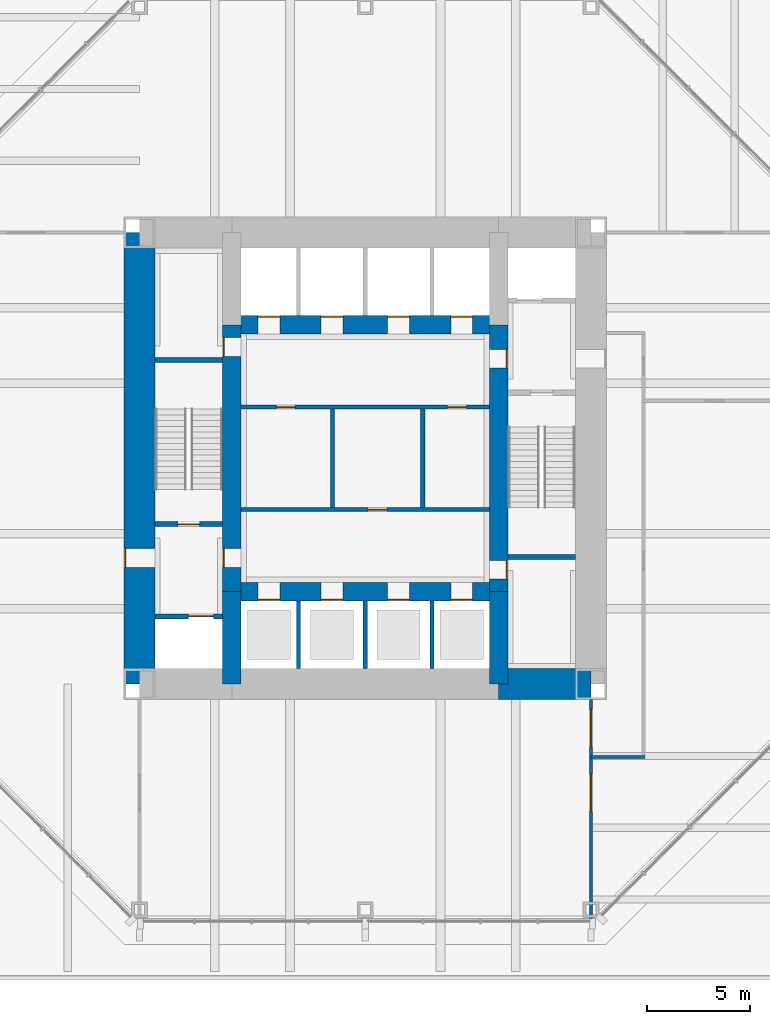
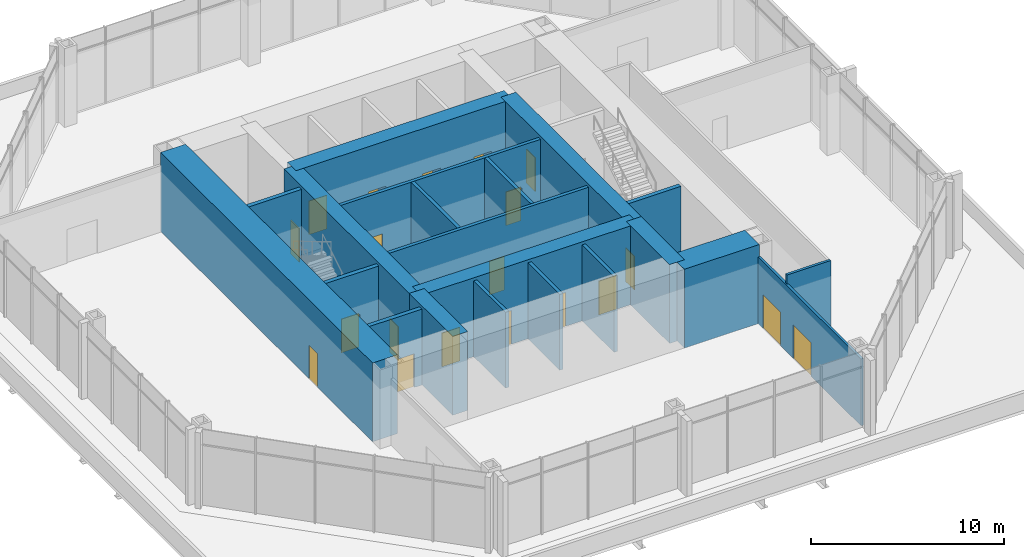
# One storey, part 8 of 11: 21 walls, 20 doors, 20 openings.
"""IFC4 building model written with IfcOpenShell, lengths in metres."""

from ifc_helpers import new_model, si_unit, direction, frame, frame_2d, origin, place, context, subcontext, project, spatial, rectangle, extrude, material, layer, layer_set, type_object, element, fill, save


model = new_model("IFC4")

# Units and contexts
model_context = context("Model", 3, precision=1e-05, world=origin(), true_north=direction((0.0, 1.0)))
body_context = subcontext(model_context, "Body", "Model", "MODEL_VIEW")
ifc_project = project(units=[si_unit("LENGTHUNIT", "METRE"), si_unit("AREAUNIT", "SQUARE_METRE"), si_unit("VOLUMEUNIT", "CUBIC_METRE"), si_unit("PLANEANGLEUNIT", "RADIAN"), si_unit("MASSUNIT", "GRAM", prefix="KILO")], contexts=[model_context])

# Site, building, storey
site_placement = place(None, origin())
site = spatial("IfcSite", under=ifc_project, at=site_placement, CompositionType="ELEMENT")
building_placement = place(site_placement, origin())
building = spatial("IfcBuilding", under=site, at=building_placement, Name="Trevanion Tower", CompositionType="ELEMENT")
storey_placement = place(building_placement, frame((0.0, 0.0, 95.800048828125)))
storey = spatial("IfcBuildingStorey", under=building, at=storey_placement, Name="L22", CompositionType="ELEMENT", Elevation=95.800048828125)

# Wall, opening, door
ifc_material_1 = material(Name="Concrete 10,000 psi", Category="concrete")
ifc_layer_1 = layer(ifc_material_1, 1.5)
ifc_layer_set_1 = layer_set([ifc_layer_1], Name="CW1 core wall 1500")
wall_type_1 = type_object("IfcWallType", Name="CW1 core wall 1500", PredefinedType="SHEAR", material=ifc_layer_set_1)
wall_1_placement = place(storey_placement, frame((-11.0, 11.0, 0.0), z_axis=(0.0, 0.0, 1.0), x_axis=(0.0, -1.0, 0.0)))
wall_1 = element("IfcWall", 1, at=wall_1_placement, inside=storey, type_object=wall_type_1, Name="CW1 CW L22", PredefinedType="SHEAR", context=body_context, shape_type="SweptSolid", body=[
    extrude(rectangle(XDim=22.0, YDim=1.5, at=frame_2d((11.0, 0.0))), origin(), (0.0, 0.0, 1.0), 5.0),
])
opening_1_placement = place(wall_1_placement, frame((15.392578125, 0.0, 0.0)))
opening_1 = element("IfcOpeningElement", 2, at=opening_1_placement, cuts=wall_1, Name="Opening 22-002", PredefinedType="OPENING", context=body_context, shape_type="SweptSolid", body=[
    extrude(rectangle(XDim=0.9150390625, YDim=2.134033203125, at=frame_2d((0.45751953125, 1.06689453125))), frame((0.0, 0.760009765625, 0.0), z_axis=(0.0, -1.0, 0.0), x_axis=(1.0, 0.0, 0.0)), (0.0, 0.0, 1.0), 1.52001953125),
])
ifc_material_2 = material(Name="Hollow metal, fire rated", Category="steel")
door_type_1 = type_object("IfcDoorType", Name="D3 fire lift lobby door", OperationType="SINGLE_SWING_RIGHT", PredefinedType="DOOR", material=ifc_material_2)
door_1_placement = place(opening_1_placement, origin())
door_1 = element("IfcDoor", 3, at=door_1_placement, inside=storey, type_object=door_type_1, Name="Door 22-002", OperationType="SINGLE_SWING_RIGHT", OverallHeight=2.134033203125, OverallWidth=0.9150390625, PredefinedType="DOOR", context=body_context, shape_type="SweptSolid", body=[
    extrude(rectangle(XDim=0.9150390625, YDim=2.134033203125, at=frame_2d((0.45751953125, 1.06689453125))), frame((0.0, -0.6748046875, 0.0), z_axis=(0.0, -1.0, 0.0), x_axis=(1.0, 0.0, 0.0)), (0.0, 0.0, 1.0), 0.050048828125),
])
fill(opening_1, door_1)

# Walls
wall_2_placement = place(storey_placement, frame((6.5, -11.0, 0.0), z_axis=(0.0, 0.0, 1.0), x_axis=(1.0, 0.0, 0.0)))
element("IfcWall", 4, at=wall_2_placement, inside=storey, type_object=wall_type_1, Name="CW1 CS3 L22", PredefinedType="SHEAR", context=body_context, shape_type="SweptSolid", body=[
    extrude(rectangle(XDim=4.5, YDim=1.5, at=frame_2d((2.25, 0.0))), origin(), (0.0, 0.0, 1.0), 5.0),
])
ifc_material_3 = material(Name="Concrete 10,000 psi", Category="concrete")
ifc_layer_2 = layer(ifc_material_3, 0.89990234375)
ifc_layer_set_2 = layer_set([ifc_layer_2], Name="CW2 core wall 900")
wall_type_2 = type_object("IfcWallType", Name="CW2 core wall 900", PredefinedType="SHEAR", material=ifc_layer_set_2)
wall_3_placement = place(storey_placement, frame((6.5, -11.0, 0.0), z_axis=(0.0, 0.0, 1.0), x_axis=(0.0, 1.0, 0.0)))
element("IfcWall", 5, at=wall_3_placement, inside=storey, type_object=wall_type_2, Name="CW2 RE1 L22", PredefinedType="SHEAR", context=body_context, shape_type="SweptSolid", body=[
    extrude(rectangle(XDim=4.5, YDim=0.89990234375, at=frame_2d((2.25, 0.0))), origin(), (0.0, 0.0, 1.0), 5.0),
])

# Wall, openings, doors
wall_4_placement = place(storey_placement, frame((6.5, -6.5, 0.0), z_axis=(0.0, 0.0, 1.0), x_axis=(0.0, 1.0, 0.0)))
wall_4 = element("IfcWall", 6, at=wall_4_placement, inside=storey, type_object=wall_type_2, Name="CW2 RE2 L22", PredefinedType="SHEAR", context=body_context, shape_type="SweptSolid", body=[
    extrude(rectangle(XDim=13.0, YDim=0.89990234375, at=frame_2d((6.5, 0.0))), origin(), (0.0, 0.0, 1.0), 5.0),
])
opening_2_placement = place(wall_4_placement, frame((10.892578125, 0.0, 0.0)))
opening_2 = element("IfcOpeningElement", 7, at=opening_2_placement, cuts=wall_4, Name="Opening 22-003", PredefinedType="OPENING", context=body_context, shape_type="SweptSolid", body=[
    extrude(rectangle(XDim=0.9150390625, YDim=2.134033203125, at=frame_2d((0.45751953125, 1.06689453125))), frame((0.0, 0.4599609375, 0.0), z_axis=(0.0, -1.0, 0.0), x_axis=(1.0, 0.0, 0.0)), (0.0, 0.0, 1.0), 0.919921875),
])
opening_3_placement = place(wall_4_placement, frame((0.610107421875, 0.0, 0.0)))
opening_3 = element("IfcOpeningElement", 8, at=opening_3_placement, cuts=wall_4, Name="Opening 22-009", PredefinedType="OPENING", context=body_context, shape_type="SweptSolid", body=[
    extrude(rectangle(XDim=0.9150390625, YDim=2.134033203125, at=frame_2d((0.45751953125, 1.06689453125))), frame((0.0, 0.4599609375, 0.0), z_axis=(0.0, -1.0, 0.0), x_axis=(1.0, 0.0, 0.0)), (0.0, 0.0, 1.0), 0.919921875),
])
door_2_placement = place(opening_2_placement, origin())
door_2 = element("IfcDoor", 9, at=door_2_placement, inside=storey, type_object=door_type_1, Name="Door 22-003", OperationType="SINGLE_SWING_RIGHT", OverallHeight=2.134033203125, OverallWidth=0.9150390625, PredefinedType="DOOR", context=body_context, shape_type="SweptSolid", body=[
    extrude(rectangle(XDim=0.9150390625, YDim=2.134033203125, at=frame_2d((0.45751953125, 1.06689453125))), frame((0.0, -0.375, 0.0), z_axis=(0.0, -1.0, 0.0), x_axis=(1.0, 0.0, 0.0)), (0.0, 0.0, 1.0), 0.050048828125),
])
fill(opening_2, door_2)
ifc_material_4 = material(Name="Hollow metal, fire rated", Category="steel")
door_type_2 = type_object("IfcDoorType", Name="D5 service room door", OperationType="SINGLE_SWING_RIGHT", PredefinedType="DOOR", material=ifc_material_4)
door_3_placement = place(opening_3_placement, origin())
door_3 = element("IfcDoor", 10, at=door_3_placement, inside=storey, type_object=door_type_2, Name="Door 22-009", OperationType="SINGLE_SWING_RIGHT", OverallHeight=2.134033203125, OverallWidth=0.9150390625, PredefinedType="DOOR", context=body_context, shape_type="SweptSolid", body=[
    extrude(rectangle(XDim=0.9150390625, YDim=2.134033203125, at=frame_2d((0.45751953125, 1.06689453125))), frame((0.0, -0.375, 0.0), z_axis=(0.0, -1.0, 0.0), x_axis=(1.0, 0.0, 0.0)), (0.0, 0.0, 1.0), 0.050048828125),
])
fill(opening_3, door_3)

wall_5_placement = place(storey_placement, frame((-6.5, 6.5, 0.0), z_axis=(0.0, 0.0, 1.0), x_axis=(0.0, -1.0, 0.0)))
wall_5 = element("IfcWall", 11, at=wall_5_placement, inside=storey, type_object=wall_type_2, Name="CW2 RW2 L22", PredefinedType="SHEAR", context=body_context, shape_type="SweptSolid", body=[
    extrude(rectangle(XDim=13.0, YDim=0.89990234375, at=frame_2d((6.5, 0.0))), origin(), (0.0, 0.0, 1.0), 5.0),
])
opening_4_placement = place(wall_5_placement, frame((10.892578125, 0.0, 0.0)))
opening_4 = element("IfcOpeningElement", 12, at=opening_4_placement, cuts=wall_5, Name="Opening 22-004", PredefinedType="OPENING", context=body_context, shape_type="SweptSolid", body=[
    extrude(rectangle(XDim=0.9150390625, YDim=2.134033203125, at=frame_2d((0.45751953125, 1.06689453125))), frame((0.0, 0.4599609375, 0.0), z_axis=(0.0, -1.0, 0.0), x_axis=(1.0, 0.0, 0.0)), (0.0, 0.0, 1.0), 0.919921875),
])
opening_5_placement = place(wall_5_placement, frame((0.610107421875, 0.0, 0.0)))
opening_5 = element("IfcOpeningElement", 13, at=opening_5_placement, cuts=wall_5, Name="Opening 22-010", PredefinedType="OPENING", context=body_context, shape_type="SweptSolid", body=[
    extrude(rectangle(XDim=0.9150390625, YDim=2.134033203125, at=frame_2d((0.45751953125, 1.06689453125))), frame((0.0, 0.4599609375, 0.0), z_axis=(0.0, -1.0, 0.0), x_axis=(1.0, 0.0, 0.0)), (0.0, 0.0, 1.0), 0.919921875),
])
door_4_placement = place(opening_4_placement, origin())
door_4 = element("IfcDoor", 14, at=door_4_placement, inside=storey, type_object=door_type_1, Name="Door 22-004", OperationType="SINGLE_SWING_RIGHT", OverallHeight=2.134033203125, OverallWidth=0.9150390625, PredefinedType="DOOR", context=body_context, shape_type="SweptSolid", body=[
    extrude(rectangle(XDim=0.9150390625, YDim=2.134033203125, at=frame_2d((0.45751953125, 1.06689453125))), frame((0.0, -0.375, 0.0), z_axis=(0.0, -1.0, 0.0), x_axis=(1.0, 0.0, 0.0)), (0.0, 0.0, 1.0), 0.050048828125),
])
fill(opening_4, door_4)
door_5_placement = place(opening_5_placement, origin())
door_5 = element("IfcDoor", 15, at=door_5_placement, inside=storey, type_object=door_type_2, Name="Door 22-010", OperationType="SINGLE_SWING_RIGHT", OverallHeight=2.134033203125, OverallWidth=0.9150390625, PredefinedType="DOOR", context=body_context, shape_type="SweptSolid", body=[
    extrude(rectangle(XDim=0.9150390625, YDim=2.134033203125, at=frame_2d((0.45751953125, 1.06689453125))), frame((0.0, -0.375, 0.0), z_axis=(0.0, -1.0, 0.0), x_axis=(1.0, 0.0, 0.0)), (0.0, 0.0, 1.0), 0.050048828125),
])
fill(opening_5, door_5)

# Wall
wall_6_placement = place(storey_placement, frame((-6.5, -6.5, 0.0), z_axis=(0.0, 0.0, 1.0), x_axis=(0.0, -1.0, 0.0)))
element("IfcWall", 16, at=wall_6_placement, inside=storey, type_object=wall_type_2, Name="CW2 RW3 L22", PredefinedType="SHEAR", context=body_context, shape_type="SweptSolid", body=[
    extrude(rectangle(XDim=4.5, YDim=0.89990234375, at=frame_2d((2.25, 0.0))), origin(), (0.0, 0.0, 1.0), 5.0),
])

# Wall, openings, doors
wall_7_placement = place(storey_placement, frame((6.5, 6.5, 0.0), z_axis=(0.0, 0.0, 1.0), x_axis=(-1.0, 0.0, 0.0)))
wall_7 = element("IfcWall", 17, at=wall_7_placement, inside=storey, type_object=wall_type_2, Name="CW2 RN L22", PredefinedType="SHEAR", context=body_context, shape_type="SweptSolid", body=[
    extrude(rectangle(XDim=13.0, YDim=0.89990234375, at=frame_2d((6.5, 0.0))), origin(), (0.0, 0.0, 1.0), 5.0),
])
opening_6_placement = place(wall_7_placement, frame((10.66650390625, 0.0, 0.0)))
opening_6 = element("IfcOpeningElement", 18, at=opening_6_placement, cuts=wall_7, Name="Opening 22-011", PredefinedType="OPENING", context=body_context, shape_type="SweptSolid", body=[
    extrude(rectangle(XDim=1.06689453125, YDim=2.134033203125, at=frame_2d((0.533447265625, 1.06689453125))), frame((0.0, 0.4599609375, 0.0), z_axis=(0.0, -1.0, 0.0), x_axis=(1.0, 0.0, 0.0)), (0.0, 0.0, 1.0), 0.919921875),
])
opening_7_placement = place(wall_7_placement, frame((7.591552734375, 0.0, 0.0)))
opening_7 = element("IfcOpeningElement", 19, at=opening_7_placement, cuts=wall_7, Name="Opening 22-012", PredefinedType="OPENING", context=body_context, shape_type="SweptSolid", body=[
    extrude(rectangle(XDim=1.06689453125, YDim=2.134033203125, at=frame_2d((0.533447265625, 1.06689453125))), frame((0.0, 0.4599609375, 0.0), z_axis=(0.0, -1.0, 0.0), x_axis=(1.0, 0.0, 0.0)), (0.0, 0.0, 1.0), 0.919921875),
])
opening_8_placement = place(wall_7_placement, frame((4.341552734375, 0.0, 0.0)))
opening_8 = element("IfcOpeningElement", 20, at=opening_8_placement, cuts=wall_7, Name="Opening 22-013", PredefinedType="OPENING", context=body_context, shape_type="SweptSolid", body=[
    extrude(rectangle(XDim=1.06689453125, YDim=2.134033203125, at=frame_2d((0.533447265625, 1.06689453125))), frame((0.0, 0.4599609375, 0.0), z_axis=(0.0, -1.0, 0.0), x_axis=(1.0, 0.0, 0.0)), (0.0, 0.0, 1.0), 0.919921875),
])
opening_9_placement = place(wall_7_placement, frame((1.2666015625, 0.0, 0.0)))
opening_9 = element("IfcOpeningElement", 21, at=opening_9_placement, cuts=wall_7, Name="Opening 22-014", PredefinedType="OPENING", context=body_context, shape_type="SweptSolid", body=[
    extrude(rectangle(XDim=1.06689453125, YDim=2.134033203125, at=frame_2d((0.533447265625, 1.06689453125))), frame((0.0, 0.4599609375, 0.0), z_axis=(0.0, -1.0, 0.0), x_axis=(1.0, 0.0, 0.0)), (0.0, 0.0, 1.0), 0.919921875),
])
ifc_material_5 = material(Name="Stainless steel, fire rated", Category="steel")
door_type_3 = type_object("IfcDoorType", Name="LD1 lift landing door", OperationType="SLIDING_TO_LEFT", PredefinedType="DOOR", material=ifc_material_5)
door_6_placement = place(opening_6_placement, origin())
door_6 = element("IfcDoor", 22, at=door_6_placement, inside=storey, type_object=door_type_3, Name="Door 22-011", OperationType="SLIDING_TO_LEFT", OverallHeight=2.134033203125, OverallWidth=1.06689453125, PredefinedType="DOOR", context=body_context, shape_type="SweptSolid", body=[
    extrude(rectangle(XDim=1.06689453125, YDim=2.134033203125, at=frame_2d((0.533447265625, 1.06689453125))), frame((0.0, -0.375, 0.0), z_axis=(0.0, -1.0, 0.0), x_axis=(1.0, 0.0, 0.0)), (0.0, 0.0, 1.0), 0.050048828125),
])
fill(opening_6, door_6)
door_7_placement = place(opening_7_placement, origin())
door_7 = element("IfcDoor", 23, at=door_7_placement, inside=storey, type_object=door_type_3, Name="Door 22-012", OperationType="SLIDING_TO_LEFT", OverallHeight=2.134033203125, OverallWidth=1.06689453125, PredefinedType="DOOR", context=body_context, shape_type="SweptSolid", body=[
    extrude(rectangle(XDim=1.06689453125, YDim=2.134033203125, at=frame_2d((0.533447265625, 1.06689453125))), frame((0.0, -0.375, 0.0), z_axis=(0.0, -1.0, 0.0), x_axis=(1.0, 0.0, 0.0)), (0.0, 0.0, 1.0), 0.050048828125),
])
fill(opening_7, door_7)
door_8_placement = place(opening_8_placement, origin())
door_8 = element("IfcDoor", 24, at=door_8_placement, inside=storey, type_object=door_type_3, Name="Door 22-013", OperationType="SLIDING_TO_LEFT", OverallHeight=2.134033203125, OverallWidth=1.06689453125, PredefinedType="DOOR", context=body_context, shape_type="SweptSolid", body=[
    extrude(rectangle(XDim=1.06689453125, YDim=2.134033203125, at=frame_2d((0.533447265625, 1.06689453125))), frame((0.0, -0.375, 0.0), z_axis=(0.0, -1.0, 0.0), x_axis=(1.0, 0.0, 0.0)), (0.0, 0.0, 1.0), 0.050048828125),
])
fill(opening_8, door_8)
door_9_placement = place(opening_9_placement, origin())
door_9 = element("IfcDoor", 25, at=door_9_placement, inside=storey, type_object=door_type_3, Name="Door 22-014", OperationType="SLIDING_TO_LEFT", OverallHeight=2.134033203125, OverallWidth=1.06689453125, PredefinedType="DOOR", context=body_context, shape_type="SweptSolid", body=[
    extrude(rectangle(XDim=1.06689453125, YDim=2.134033203125, at=frame_2d((0.533447265625, 1.06689453125))), frame((0.0, -0.375, 0.0), z_axis=(0.0, -1.0, 0.0), x_axis=(1.0, 0.0, 0.0)), (0.0, 0.0, 1.0), 0.050048828125),
])
fill(opening_9, door_9)

wall_8_placement = place(storey_placement, frame((-6.5, -6.5, 0.0), z_axis=(0.0, 0.0, 1.0), x_axis=(1.0, 0.0, 0.0)))
wall_8 = element("IfcWall", 26, at=wall_8_placement, inside=storey, type_object=wall_type_2, Name="CW2 RS L22", PredefinedType="SHEAR", context=body_context, shape_type="SweptSolid", body=[
    extrude(rectangle(XDim=13.0, YDim=0.89990234375, at=frame_2d((6.5, 0.0))), origin(), (0.0, 0.0, 1.0), 5.0),
])
opening_10_placement = place(wall_8_placement, frame((1.2666015625, 0.0, 0.0)))
opening_10 = element("IfcOpeningElement", 27, at=opening_10_placement, cuts=wall_8, Name="Opening 22-015", PredefinedType="OPENING", context=body_context, shape_type="SweptSolid", body=[
    extrude(rectangle(XDim=1.06689453125, YDim=2.134033203125, at=frame_2d((0.533447265625, 1.06689453125))), frame((0.0, 0.4599609375, 0.0), z_axis=(0.0, -1.0, 0.0), x_axis=(1.0, 0.0, 0.0)), (0.0, 0.0, 1.0), 0.919921875),
])
opening_11_placement = place(wall_8_placement, frame((4.341552734375, 0.0, 0.0)))
opening_11 = element("IfcOpeningElement", 28, at=opening_11_placement, cuts=wall_8, Name="Opening 22-016", PredefinedType="OPENING", context=body_context, shape_type="SweptSolid", body=[
    extrude(rectangle(XDim=1.06689453125, YDim=2.134033203125, at=frame_2d((0.533447265625, 1.06689453125))), frame((0.0, 0.4599609375, 0.0), z_axis=(0.0, -1.0, 0.0), x_axis=(1.0, 0.0, 0.0)), (0.0, 0.0, 1.0), 0.919921875),
])
opening_12_placement = place(wall_8_placement, frame((7.591552734375, 0.0, 0.0)))
opening_12 = element("IfcOpeningElement", 29, at=opening_12_placement, cuts=wall_8, Name="Opening 22-017", PredefinedType="OPENING", context=body_context, shape_type="SweptSolid", body=[
    extrude(rectangle(XDim=1.06689453125, YDim=2.134033203125, at=frame_2d((0.533447265625, 1.06689453125))), frame((0.0, 0.4599609375, 0.0), z_axis=(0.0, -1.0, 0.0), x_axis=(1.0, 0.0, 0.0)), (0.0, 0.0, 1.0), 0.919921875),
])
opening_13_placement = place(wall_8_placement, frame((10.66650390625, 0.0, 0.0)))
opening_13 = element("IfcOpeningElement", 30, at=opening_13_placement, cuts=wall_8, Name="Opening 22-018", PredefinedType="OPENING", context=body_context, shape_type="SweptSolid", body=[
    extrude(rectangle(XDim=1.06689453125, YDim=2.134033203125, at=frame_2d((0.533447265625, 1.06689453125))), frame((0.0, 0.4599609375, 0.0), z_axis=(0.0, -1.0, 0.0), x_axis=(1.0, 0.0, 0.0)), (0.0, 0.0, 1.0), 0.919921875),
])
door_10_placement = place(opening_10_placement, origin())
door_10 = element("IfcDoor", 31, at=door_10_placement, inside=storey, type_object=door_type_3, Name="Door 22-015", OperationType="SLIDING_TO_LEFT", OverallHeight=2.134033203125, OverallWidth=1.06689453125, PredefinedType="DOOR", context=body_context, shape_type="SweptSolid", body=[
    extrude(rectangle(XDim=1.06689453125, YDim=2.134033203125, at=frame_2d((0.533447265625, 1.06689453125))), frame((0.0, -0.375, 0.0), z_axis=(0.0, -1.0, 0.0), x_axis=(1.0, 0.0, 0.0)), (0.0, 0.0, 1.0), 0.050048828125),
])
fill(opening_10, door_10)
door_11_placement = place(opening_11_placement, origin())
door_11 = element("IfcDoor", 32, at=door_11_placement, inside=storey, type_object=door_type_3, Name="Door 22-016", OperationType="SLIDING_TO_LEFT", OverallHeight=2.134033203125, OverallWidth=1.06689453125, PredefinedType="DOOR", context=body_context, shape_type="SweptSolid", body=[
    extrude(rectangle(XDim=1.06689453125, YDim=2.134033203125, at=frame_2d((0.533447265625, 1.06689453125))), frame((0.0, -0.375, 0.0), z_axis=(0.0, -1.0, 0.0), x_axis=(1.0, 0.0, 0.0)), (0.0, 0.0, 1.0), 0.050048828125),
])
fill(opening_11, door_11)
door_12_placement = place(opening_12_placement, origin())
door_12 = element("IfcDoor", 33, at=door_12_placement, inside=storey, type_object=door_type_3, Name="Door 22-017", OperationType="SLIDING_TO_LEFT", OverallHeight=2.134033203125, OverallWidth=1.06689453125, PredefinedType="DOOR", context=body_context, shape_type="SweptSolid", body=[
    extrude(rectangle(XDim=1.06689453125, YDim=2.134033203125, at=frame_2d((0.533447265625, 1.06689453125))), frame((0.0, -0.375, 0.0), z_axis=(0.0, -1.0, 0.0), x_axis=(1.0, 0.0, 0.0)), (0.0, 0.0, 1.0), 0.050048828125),
])
fill(opening_12, door_12)
door_13_placement = place(opening_13_placement, origin())
door_13 = element("IfcDoor", 34, at=door_13_placement, inside=storey, type_object=door_type_3, Name="Door 22-018", OperationType="SLIDING_TO_LEFT", OverallHeight=2.134033203125, OverallWidth=1.06689453125, PredefinedType="DOOR", context=body_context, shape_type="SweptSolid", body=[
    extrude(rectangle(XDim=1.06689453125, YDim=2.134033203125, at=frame_2d((0.533447265625, 1.06689453125))), frame((0.0, -0.375, 0.0), z_axis=(0.0, -1.0, 0.0), x_axis=(1.0, 0.0, 0.0)), (0.0, 0.0, 1.0), 0.050048828125),
])
fill(opening_13, door_13)

ifc_material_6 = material(Name="Gypsum board on steel studs", Category="steel")
ifc_layer_3 = layer(ifc_material_6, 0.14990234375)
ifc_layer_set_3 = layer_set([ifc_layer_3], Name="PT1 partition 150")
wall_type_3 = type_object("IfcWallType", Name="PT1 partition 150", PredefinedType="PARTITIONING", material=ifc_layer_set_3)
wall_9_placement = place(storey_placement, frame((11.0, -11.75, 0.0), z_axis=(0.0, 0.0, 1.0), x_axis=(0.0, -1.0, 0.0)))
wall_9 = element("IfcWall", 35, at=wall_9_placement, inside=storey, type_object=wall_type_3, Name="PT1 L22 SL1", PredefinedType="PARTITIONING", context=body_context, shape_type="SweptSolid", body=[
    extrude(rectangle(XDim=10.6650390625, YDim=0.14990234375, at=frame_2d((5.33251953125, 0.0))), origin(), (0.0, 0.0, 1.0), 4.225830078125),
])
opening_14_placement = place(wall_9_placement, frame((3.635009765625, 0.0, 0.0)))
opening_14 = element("IfcOpeningElement", 36, at=opening_14_placement, cuts=wall_9, Name="Opening 22-022", PredefinedType="OPENING", context=body_context, shape_type="SweptSolid", body=[
    extrude(rectangle(XDim=1.830078125, YDim=2.134033203125, at=frame_2d((0.9150390625, 1.06689453125))), frame((0.0, 0.0849609375, 0.0), z_axis=(0.0, -1.0, 0.0), x_axis=(1.0, 0.0, 0.0)), (0.0, 0.0, 1.0), 0.169921875),
])
opening_15_placement = place(wall_9_placement, frame((0.485107421875, 0.0, 0.0)))
opening_15 = element("IfcOpeningElement", 37, at=opening_15_placement, cuts=wall_9, Name="Opening 22-026", PredefinedType="OPENING", context=body_context, shape_type="SweptSolid", body=[
    extrude(rectangle(XDim=1.830078125, YDim=2.134033203125, at=frame_2d((0.9150390625, 1.06689453125))), frame((0.0, 0.0849609375, 0.0), z_axis=(0.0, -1.0, 0.0), x_axis=(1.0, 0.0, 0.0)), (0.0, 0.0, 1.0), 0.169921875),
])
ifc_material_7 = material(Name="Timber veneer, solid core", Category="wood")
door_type_4 = type_object("IfcDoorType", Name="D20 lounge double door", OperationType="DOUBLE_DOOR_DOUBLE_SWING", PredefinedType="DOOR", material=ifc_material_7)
door_14_placement = place(opening_14_placement, origin())
door_14 = element("IfcDoor", 38, at=door_14_placement, inside=storey, type_object=door_type_4, Name="Door 22-022", OperationType="DOUBLE_DOOR_DOUBLE_SWING", OverallHeight=2.134033203125, OverallWidth=1.830078125, PredefinedType="DOOR", context=body_context, shape_type="SweptSolid", body=[
    extrude(rectangle(XDim=1.830078125, YDim=2.134033203125, at=frame_2d((0.9150390625, 1.06689453125))), frame((0.0, 0.02490234375, 0.0), z_axis=(0.0, -1.0, 0.0), x_axis=(1.0, 0.0, 0.0)), (0.0, 0.0, 1.0), 0.050048828125),
])
fill(opening_14, door_14)
door_15_placement = place(opening_15_placement, origin())
door_15 = element("IfcDoor", 39, at=door_15_placement, inside=storey, type_object=door_type_4, Name="Door 22-026", OperationType="DOUBLE_DOOR_DOUBLE_SWING", OverallHeight=2.134033203125, OverallWidth=1.830078125, PredefinedType="DOOR", context=body_context, shape_type="SweptSolid", body=[
    extrude(rectangle(XDim=1.830078125, YDim=2.134033203125, at=frame_2d((0.9150390625, 1.06689453125))), frame((0.0, 0.02490234375, 0.0), z_axis=(0.0, -1.0, 0.0), x_axis=(1.0, 0.0, 0.0)), (0.0, 0.0, 1.0), 0.050048828125),
])
fill(opening_15, door_15)

# Walls
wall_10_placement = place(storey_placement, frame((11.0, -14.550048828125, 0.0), z_axis=(0.0, 0.0, 1.0), x_axis=(1.0, 0.0, 0.0)))
element("IfcWall", 40, at=wall_10_placement, inside=storey, type_object=wall_type_3, Name="PT1 L22 SC2", PredefinedType="PARTITIONING", context=body_context, shape_type="SweptSolid", body=[
    extrude(rectangle(XDim=2.625, YDim=0.14990234375, at=frame_2d((1.3125, 0.0))), origin(), (0.0, 0.0, 1.0), 4.81005859375),
])
ifc_material_8 = material(Name="Concrete masonry, grouted", Category="masonry")
ifc_layer_4 = layer(ifc_material_8, 0.199951171875)
ifc_layer_set_4 = layer_set([ifc_layer_4], Name="PT2 partition 200")
wall_type_4 = type_object("IfcWallType", Name="PT2 partition 200", PredefinedType="PARTITIONING", material=ifc_layer_set_4)
for number, where, z_axis, x_axis, name in (
    (41, (-1.60009765625, -2.39990234375, 0.0), (0.0, 0.0, 1.0), (0.0, 1.0, 0.0), "PT2 L22 TP1"),
    (42, (2.800048828125, -2.39990234375, 0.0), (0.0, 0.0, 1.0), (0.0, 1.0, 0.0), "PT2 L22 TP2"),
):
    element("IfcWall", number, at=place(storey_placement, frame(where, z_axis=z_axis, x_axis=x_axis)), inside=storey, type_object=wall_type_4, Name=name, PredefinedType="PARTITIONING", context=body_context, shape_type="SweptSolid", body=[
        extrude(rectangle(XDim=4.7998046875, YDim=0.199951171875, at=frame_2d((2.39990234375, 0.0))), origin(), (0.0, 0.0, 1.0), 4.81005859375),
    ])

# Wall, openings, doors
ifc_material_9 = material(Name="Concrete masonry, grouted", Category="masonry")
ifc_layer_5 = layer(ifc_material_9, 0.199951171875)
ifc_layer_set_5 = layer_set([ifc_layer_5], Name="PT2 partition 200 1 HR")
wall_type_5 = type_object("IfcWallType", Name="PT2 partition 200 1 HR", PredefinedType="PARTITIONING", material=ifc_layer_set_5)
wall_11_placement = place(storey_placement, frame((-6.050048828125, 2.5, 0.0), z_axis=(0.0, 0.0, 1.0), x_axis=(1.0, 0.0, 0.0)))
wall_11 = element("IfcWall", 43, at=wall_11_placement, inside=storey, type_object=wall_type_5, Name="PT2 L22 CP1", PredefinedType="PARTITIONING", context=body_context, shape_type="SweptSolid", body=[
    extrude(rectangle(XDim=12.10009765625, YDim=0.199951171875, at=frame_2d((6.050048828125, 0.0))), origin(), (0.0, 0.0, 1.0), 4.81005859375),
])
opening_16_placement = place(wall_11_placement, frame((1.717529296875, 0.0, 0.0)))
opening_16 = element("IfcOpeningElement", 44, at=opening_16_placement, cuts=wall_11, Name="Opening 22-019", PredefinedType="OPENING", context=body_context, shape_type="SweptSolid", body=[
    extrude(rectangle(XDim=0.9150390625, YDim=2.134033203125, at=frame_2d((0.45751953125, 1.06689453125))), frame((0.0, 0.10986328125, 0.0), z_axis=(0.0, -1.0, 0.0), x_axis=(1.0, 0.0, 0.0)), (0.0, 0.0, 1.0), 0.219970703125),
])
opening_17_placement = place(wall_11_placement, frame((10.0673828125, 0.0, 0.0)))
opening_17 = element("IfcOpeningElement", 45, at=opening_17_placement, cuts=wall_11, Name="Opening 22-021", PredefinedType="OPENING", context=body_context, shape_type="SweptSolid", body=[
    extrude(rectangle(XDim=0.9150390625, YDim=2.134033203125, at=frame_2d((0.45751953125, 1.06689453125))), frame((0.0, 0.10986328125, 0.0), z_axis=(0.0, -1.0, 0.0), x_axis=(1.0, 0.0, 0.0)), (0.0, 0.0, 1.0), 0.219970703125),
])
ifc_material_10 = material(Name="Plastic laminate on fire-rated core", Category="wood")
door_type_5 = type_object("IfcDoorType", Name="D12 toilet door in a one hour wall", OperationType="SINGLE_SWING_LEFT", PredefinedType="DOOR", material=ifc_material_10)
door_16_placement = place(opening_16_placement, origin())
door_16 = element("IfcDoor", 46, at=door_16_placement, inside=storey, type_object=door_type_5, Name="Door 22-019", OperationType="SINGLE_SWING_LEFT", OverallHeight=2.134033203125, OverallWidth=0.9150390625, PredefinedType="DOOR", context=body_context, shape_type="SweptSolid", body=[
    extrude(rectangle(XDim=0.9150390625, YDim=2.134033203125, at=frame_2d((0.45751953125, 1.06689453125))), frame((0.0, 0.02490234375, 0.0), z_axis=(0.0, -1.0, 0.0), x_axis=(1.0, 0.0, 0.0)), (0.0, 0.0, 1.0), 0.050048828125),
])
fill(opening_16, door_16)
door_17_placement = place(opening_17_placement, origin())
door_17 = element("IfcDoor", 47, at=door_17_placement, inside=storey, type_object=door_type_5, Name="Door 22-021", OperationType="SINGLE_SWING_LEFT", OverallHeight=2.134033203125, OverallWidth=0.9150390625, PredefinedType="DOOR", context=body_context, shape_type="SweptSolid", body=[
    extrude(rectangle(XDim=0.9150390625, YDim=2.134033203125, at=frame_2d((0.45751953125, 1.06689453125))), frame((0.0, 0.02490234375, 0.0), z_axis=(0.0, -1.0, 0.0), x_axis=(1.0, 0.0, 0.0)), (0.0, 0.0, 1.0), 0.050048828125),
])
fill(opening_17, door_17)

# Wall, opening, door
wall_12_placement = place(storey_placement, frame((6.050048828125, -2.5, 0.0), z_axis=(0.0, 0.0, 1.0), x_axis=(-1.0, 0.0, 0.0)))
wall_12 = element("IfcWall", 48, at=wall_12_placement, inside=storey, type_object=wall_type_5, Name="PT2 L22 CP2", PredefinedType="PARTITIONING", context=body_context, shape_type="SweptSolid", body=[
    extrude(rectangle(XDim=12.10009765625, YDim=0.199951171875, at=frame_2d((6.050048828125, 0.0))), origin(), (0.0, 0.0, 1.0), 4.81005859375),
])
opening_18_placement = place(wall_12_placement, frame((4.992431640625, 0.0, 0.0)))
opening_18 = element("IfcOpeningElement", 49, at=opening_18_placement, cuts=wall_12, Name="Opening 22-020", PredefinedType="OPENING", context=body_context, shape_type="SweptSolid", body=[
    extrude(rectangle(XDim=0.9150390625, YDim=2.134033203125, at=frame_2d((0.45751953125, 1.06689453125))), frame((0.0, 0.10986328125, 0.0), z_axis=(0.0, -1.0, 0.0), x_axis=(1.0, 0.0, 0.0)), (0.0, 0.0, 1.0), 0.219970703125),
])
door_18_placement = place(opening_18_placement, origin())
door_18 = element("IfcDoor", 50, at=door_18_placement, inside=storey, type_object=door_type_5, Name="Door 22-020", OperationType="SINGLE_SWING_LEFT", OverallHeight=2.134033203125, OverallWidth=0.9150390625, PredefinedType="DOOR", context=body_context, shape_type="SweptSolid", body=[
    extrude(rectangle(XDim=0.9150390625, YDim=2.134033203125, at=frame_2d((0.45751953125, 1.06689453125))), frame((0.0, 0.02490234375, 0.0), z_axis=(0.0, -1.0, 0.0), x_axis=(1.0, 0.0, 0.0)), (0.0, 0.0, 1.0), 0.050048828125),
])
fill(opening_18, door_18)

# Walls
ifc_material_11 = material(Name="Concrete masonry, grouted", Category="masonry")
ifc_layer_6 = layer(ifc_material_11, 0.199951171875)
ifc_layer_set_6 = layer_set([ifc_layer_6], Name="PT2 partition 200 2 HR")
wall_type_6 = type_object("IfcWallType", Name="PT2 partition 200 2 HR", PredefinedType="PARTITIONING", material=ifc_layer_set_6)
for number, where, z_axis, x_axis, name in (
    (51, (-3.25, -10.25, 0.0), (0.0, 0.0, 1.0), (0.0, 1.0, 0.0), "PT2 L22 SS0"),
    (52, (0.0, -10.25, 0.0), (0.0, 0.0, 1.0), (0.0, 1.0, 0.0), "PT2 L22 SS1"),
    (53, (3.25, -10.25, 0.0), (0.0, 0.0, 1.0), (0.0, 1.0, 0.0), "PT2 L22 SS2"),
):
    element("IfcWall", number, at=place(storey_placement, frame(where, z_axis=z_axis, x_axis=x_axis)), inside=storey, type_object=wall_type_6, Name=name, PredefinedType="PARTITIONING", context=body_context, shape_type="SweptSolid", body=[
        extrude(rectangle(XDim=3.300048828125, YDim=0.199951171875, at=frame_2d((1.64990234375, 0.0))), origin(), (0.0, 0.0, 1.0), 4.81005859375),
    ])

# Wall, opening, door
ifc_material_12 = material(Name="Concrete masonry, grouted, two-hour", Category="masonry")
ifc_layer_7 = layer(ifc_material_12, 0.25)
ifc_layer_set_7 = layer_set([ifc_layer_7], Name="PT3 partition 250 2 HR")
wall_type_7 = type_object("IfcWallType", Name="PT3 partition 250 2 HR", PredefinedType="PARTITIONING", material=ifc_layer_set_7)
wall_13_placement = place(storey_placement, frame((-6.949951171875, -7.699951171875, 0.0), z_axis=(0.0, 0.0, 1.0), x_axis=(-1.0, 0.0, 0.0)))
wall_13 = element("IfcWall", 54, at=wall_13_placement, inside=storey, type_object=wall_type_7, Name="PT3 L22 WP3", PredefinedType="PARTITIONING", context=body_context, shape_type="SweptSolid", body=[
    extrude(rectangle(XDim=3.300048828125, YDim=0.25, at=frame_2d((1.64990234375, 0.0))), origin(), (0.0, 0.0, 1.0), 4.81005859375),
])
opening_19_placement = place(wall_13_placement, frame((0.449951171875, 0.0, 0.0)))
opening_19 = element("IfcOpeningElement", 55, at=opening_19_placement, cuts=wall_13, Name="Opening 22-008", PredefinedType="OPENING", context=body_context, shape_type="SweptSolid", body=[
    extrude(rectangle(XDim=1.218994140625, YDim=2.134033203125, at=frame_2d((0.609375, 1.06689453125))), frame((0.0, 0.135009765625, 0.0), z_axis=(0.0, -1.0, 0.0), x_axis=(1.0, 0.0, 0.0)), (0.0, 0.0, 1.0), 0.27001953125),
])
ifc_material_13 = material(Name="Stainless steel, fire rated", Category="steel")
door_type_6 = type_object("IfcDoorType", Name="LD2 fire service lift landing door", OperationType="SLIDING_TO_LEFT", PredefinedType="DOOR", material=ifc_material_13)
door_19_placement = place(opening_19_placement, origin())
door_19 = element("IfcDoor", 56, at=door_19_placement, inside=storey, type_object=door_type_6, Name="Door 22-008", OperationType="SLIDING_TO_LEFT", OverallHeight=2.134033203125, OverallWidth=1.218994140625, PredefinedType="DOOR", context=body_context, shape_type="SweptSolid", body=[
    extrude(rectangle(XDim=1.218994140625, YDim=2.134033203125, at=frame_2d((0.609375, 1.06689453125))), frame((0.0, 0.02490234375, 0.0), z_axis=(0.0, -1.0, 0.0), x_axis=(1.0, 0.0, 0.0)), (0.0, 0.0, 1.0), 0.050048828125),
])
fill(opening_19, door_19)

# Walls
ifc_material_14 = material(Name="Reinforced masonry, fully grouted", Category="masonry")
ifc_layer_8 = layer(ifc_material_14, 0.25)
ifc_layer_set_8 = layer_set([ifc_layer_8], Name="SW1 stair shaft wall 250")
wall_type_8 = type_object("IfcWallType", Name="SW1 stair shaft wall 250", PredefinedType="SOLIDWALL", material=ifc_layer_set_8)
for number, where, z_axis, x_axis, name in (
    (57, (6.949951171875, -4.800048828125, 0.0), (0.0, 0.0, 1.0), (1.0, 0.0, 0.0), "SW1 L22 EP1"),
    (58, (-6.949951171875, 4.800048828125, 0.0), (0.0, 0.0, 1.0), (-1.0, 0.0, 0.0), "SW1 L22 WP1"),
):
    element("IfcWall", number, at=place(storey_placement, frame(where, z_axis=z_axis, x_axis=x_axis)), inside=storey, type_object=wall_type_8, Name=name, PredefinedType="SOLIDWALL", context=body_context, shape_type="SweptSolid", body=[
        extrude(rectangle(XDim=3.300048828125, YDim=0.25, at=frame_2d((1.64990234375, 0.0))), origin(), (0.0, 0.0, 1.0), 4.81005859375),
    ])

# Wall, opening, door
wall_14_placement = place(storey_placement, frame((-6.949951171875, -3.199951171875, 0.0), z_axis=(0.0, 0.0, 1.0), x_axis=(-1.0, 0.0, 0.0)))
wall_14 = element("IfcWall", 59, at=wall_14_placement, inside=storey, type_object=wall_type_8, Name="SW1 L22 WP2", PredefinedType="SOLIDWALL", context=body_context, shape_type="SweptSolid", body=[
    extrude(rectangle(XDim=3.300048828125, YDim=0.25, at=frame_2d((1.64990234375, 0.0))), origin(), (0.0, 0.0, 1.0), 4.81005859375),
])
opening_20_placement = place(wall_14_placement, frame((1.116455078125, 0.0, 0.0)))
opening_20 = element("IfcOpeningElement", 60, at=opening_20_placement, cuts=wall_14, Name="Opening 22-006", PredefinedType="OPENING", context=body_context, shape_type="SweptSolid", body=[
    extrude(rectangle(XDim=1.06689453125, YDim=2.134033203125, at=frame_2d((0.533447265625, 1.06689453125))), frame((0.0, 0.135009765625, 0.0), z_axis=(0.0, -1.0, 0.0), x_axis=(1.0, 0.0, 0.0)), (0.0, 0.0, 1.0), 0.27001953125),
])
ifc_material_15 = material(Name="Hollow metal, fire rated", Category="steel")
door_type_7 = type_object("IfcDoorType", Name="D2 exit stair door", OperationType="SINGLE_SWING_LEFT", PredefinedType="DOOR", material=ifc_material_15)
door_20_placement = place(opening_20_placement, origin())
door_20 = element("IfcDoor", 61, at=door_20_placement, inside=storey, type_object=door_type_7, Name="Door 22-006", OperationType="SINGLE_SWING_LEFT", OverallHeight=2.134033203125, OverallWidth=1.06689453125, PredefinedType="DOOR", context=body_context, shape_type="SweptSolid", body=[
    extrude(rectangle(XDim=1.06689453125, YDim=2.134033203125, at=frame_2d((0.533447265625, 1.06689453125))), frame((0.0, 0.02490234375, 0.0), z_axis=(0.0, -1.0, 0.0), x_axis=(1.0, 0.0, 0.0)), (0.0, 0.0, 1.0), 0.050048828125),
])
fill(opening_20, door_20)

save(model, "model.ifc")
